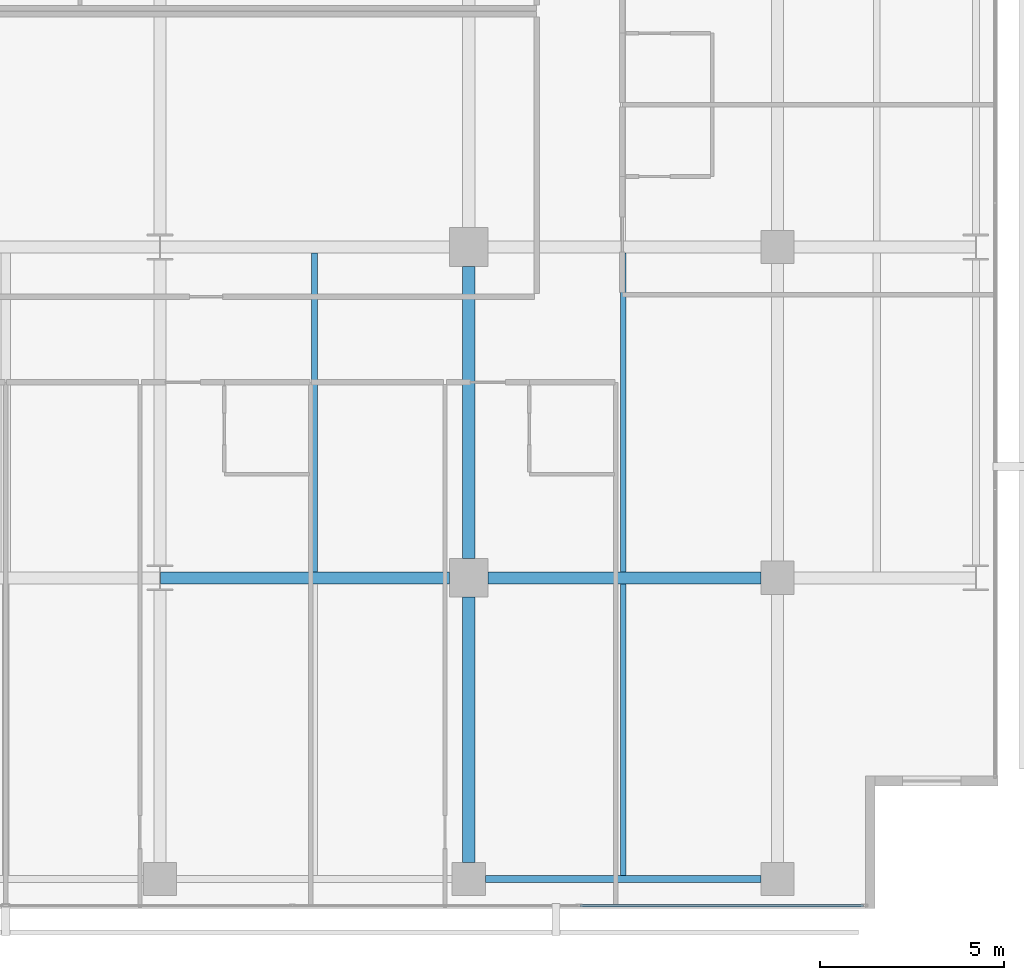
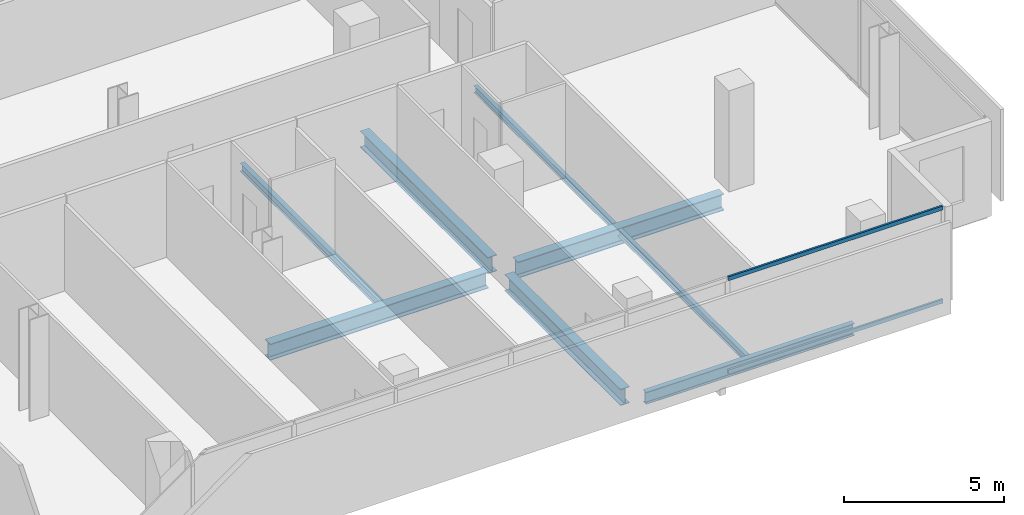
# One storey, part 15 of 39: 8 beams, 2 members, 1 element without a shape of its own.
"""IFC4 building model written with IfcOpenShell, lengths in metres."""

from ifc_helpers import new_model, si_unit, direction, frame, origin, origin_2d, place, context, subcontext, project, spatial, hollow_rectangle, i_section, extrude, material, layer, layer_set, material_profile, profile_set, type_object, element, aggregate, save


model = new_model("IFC4")

# Units and contexts
model_context = context("Model", 3, precision=1e-05, world=origin(), true_north=direction((0.0, 1.0)))
body_context = subcontext(model_context, "Body", "Model", "MODEL_VIEW")
ifc_project = project(units=[si_unit("LENGTHUNIT", "METRE"), si_unit("AREAUNIT", "SQUARE_METRE"), si_unit("VOLUMEUNIT", "CUBIC_METRE"), si_unit("PLANEANGLEUNIT", "RADIAN"), si_unit("MASSUNIT", "GRAM", prefix="KILO")], contexts=[model_context])

# Site, building, storey
site_placement = place(None, origin())
site = spatial("IfcSite", under=ifc_project, at=site_placement, CompositionType="ELEMENT")
building_placement = place(site_placement, origin())
building = spatial("IfcBuilding", under=site, at=building_placement, Name="Maruvema Waterfront Hotel and Observation Tower", CompositionType="ELEMENT")
storey_placement = place(building_placement, frame((0.0, 0.0, 46.199951171875)))
storey = spatial("IfcBuildingStorey", under=building, at=storey_placement, Name="L10", CompositionType="ELEMENT", Elevation=46.199951171875)

# Curtain wall, members
ifc_material_1 = material(Name="Anodised bronze aluminium and solar-control low-E IGU", Category="aluminium")
ifc_layer = layer(ifc_material_1, 0.159912109375, Name="Zone 1 Bronze Inner Thermal Curtain Wall System CW-02")
ifc_layer_set = layer_set([ifc_layer], Name="Anodised bronze aluminium and solar-control low-E IGU")
curtain_wall_type = type_object("IfcCurtainWallType", Name="Zone 1 Bronze Inner Thermal Curtain Wall System CW-02", PredefinedType="USERDEFINED", material=ifc_layer_set)
curtain_wall_placement = place(storey_placement, origin())
curtain_wall = element("IfcCurtainWall", 1, at=curtain_wall_placement, inside=storey, type_object=curtain_wall_type, Name="L10 Curtain Wall CW-L10-S", ObjectType="UNITISED CURTAIN WALL", PredefinedType="USERDEFINED")
ifc_material_2 = material(Name="Anodised architectural bronze aluminium", Category="aluminium")
ifc_material_profile_1 = material_profile(ifc_material_2, hollow_rectangle(XDim=0.070068359375, YDim=0.14990234375, WallThickness=0.00390625, at=origin_2d()), Name="ALU-T70x150")
ifc_profile_set_1 = profile_set([ifc_material_profile_1], Name="Anodised architectural bronze aluminium")
member_type = type_object("IfcMemberType", Name="Curtain Wall Horizontal Transom ALU-T70x150", PredefinedType="USERDEFINED", material=ifc_profile_set_1)
member_1_placement = place(storey_placement, frame((53.429931640625, 0.080078125, 0.030029296875), z_axis=(1.0, 0.0, 0.0), x_axis=(0.0, 1.0, 0.0)))
member_1 = element("IfcMember", 2, at=member_1_placement, type_object=member_type, Name="CW-02 transom 6.1", ObjectType="TRANSOM", PredefinedType="USERDEFINED", context=body_context, shape_type="SweptSolid", body=[
    extrude(hollow_rectangle(XDim=0.070068359375, YDim=0.14990234375, WallThickness=0.00390625, at=origin_2d()), origin(), (0.0, 0.0, 1.0), 7.7099609375),
])
member_2_placement = place(storey_placement, frame((53.429931640625, 0.080078125, 3.580078125), z_axis=(1.0, 0.0, 0.0), x_axis=(0.0, 1.0, 0.0)))
member_2 = element("IfcMember", 3, at=member_2_placement, type_object=member_type, Name="CW-02 transom 6.2", ObjectType="TRANSOM", PredefinedType="USERDEFINED", context=body_context, shape_type="SweptSolid", body=[
    extrude(hollow_rectangle(XDim=0.070068359375, YDim=0.14990234375, WallThickness=0.00390625, at=origin_2d()), origin(), (0.0, 0.0, 1.0), 7.7099609375),
])
aggregate(curtain_wall, [member_1, member_2])

# Beams
ifc_material_3 = material(Name="Steel ASTM A572 Grade 50", Category="steel")
ifc_material_profile_2 = material_profile(ifc_material_3, i_section(OverallWidth=0.18994140625, OverallDepth=0.45703125, WebThickness=0.009033203125, FlangeThickness=0.014404296875, FilletRadius=0.014892578125, at=origin_2d()), Name="W460x74.0")
ifc_profile_set_2 = profile_set([ifc_material_profile_2], Name="Steel ASTM A572 Grade 50")
beam_type_1 = type_object("IfcBeamType", Name="Perimeter Spandrel Beam W460x74.0", PredefinedType="SPANDREL", material=ifc_profile_set_2)
beam_1_placement = place(storey_placement, frame((50.85009765625, 0.800048828125, -0.468505859375), z_axis=(1.0, 0.0, 0.0), x_axis=(0.0, 1.0, 0.0)))
element("IfcBeam", 4, at=beam_1_placement, inside=storey, type_object=beam_type_1, Name="L10 Floor Girder EW-05", PredefinedType="SPANDREL", context=body_context, shape_type="SweptSolid", body=[
    extrude(i_section(OverallWidth=0.18994140625, OverallDepth=0.45703125, WebThickness=0.009033203125, FlangeThickness=0.014404296875, FilletRadius=0.014892578125, at=origin_2d()), origin(), (0.0, 0.0, 1.0), 7.5),
])
ifc_material_4 = material(Name="Steel ASTM A572 Grade 50", Category="steel")
ifc_material_profile_3 = material_profile(ifc_material_4, i_section(OverallWidth=0.326904296875, OverallDepth=0.6220703125, WebThickness=0.015380859375, FlangeThickness=0.0244140625, FilletRadius=0.01806640625, at=origin_2d()), Name="W610x195.0")
ifc_profile_set_3 = profile_set([ifc_material_profile_3], Name="Steel ASTM A572 Grade 50")
beam_type_2 = type_object("IfcBeamType", Name="Primary Floor Girder W610x195.0", PredefinedType="BEAM", material=ifc_profile_set_3)
beam_2_placement = place(storey_placement, frame((42.013916015625, 9.0, -0.551025390625), z_axis=(1.0, 0.0, 0.0), x_axis=(0.0, 1.0, 0.0)))
element("IfcBeam", 5, at=beam_2_placement, inside=storey, type_object=beam_type_2, Name="L10 Floor Girder EW-10", PredefinedType="BEAM", context=body_context, shape_type="SweptSolid", body=[
    extrude(i_section(OverallWidth=0.326904296875, OverallDepth=0.6220703125, WebThickness=0.015380859375, FlangeThickness=0.0244140625, FilletRadius=0.01806640625, at=origin_2d()), origin(), (0.0, 0.0, 1.0), 7.861083984375),
])
beam_3_placement = place(storey_placement, frame((50.925048828125, 9.0, -0.551025390625), z_axis=(1.0, 0.0, 0.0), x_axis=(0.0, 1.0, 0.0)))
element("IfcBeam", 6, at=beam_3_placement, inside=storey, type_object=beam_type_2, Name="L10 Floor Girder EW-11", PredefinedType="BEAM", context=body_context, shape_type="SweptSolid", body=[
    extrude(i_section(OverallWidth=0.326904296875, OverallDepth=0.6220703125, WebThickness=0.015380859375, FlangeThickness=0.0244140625, FilletRadius=0.01806640625, at=origin_2d()), origin(), (0.0, 0.0, 1.0), 7.425048828125),
])
beam_4_placement = place(storey_placement, frame((50.39990234375, 1.25, -0.551025390625), z_axis=(0.0, 1.0, 0.0), x_axis=(-1.0, 0.0, 0.0)))
element("IfcBeam", 7, at=beam_4_placement, inside=storey, type_object=beam_type_2, Name="L10 Floor Girder NS-22", PredefinedType="BEAM", context=body_context, shape_type="SweptSolid", body=[
    extrude(i_section(OverallWidth=0.326904296875, OverallDepth=0.6220703125, WebThickness=0.015380859375, FlangeThickness=0.0244140625, FilletRadius=0.01806640625, at=origin_2d()), origin(), (0.0, 0.0, 1.0), 7.22509765625),
])
beam_5_placement = place(storey_placement, frame((50.39990234375, 9.52490234375, -0.551025390625), z_axis=(0.0, 1.0, 0.0), x_axis=(-1.0, 0.0, 0.0)))
element("IfcBeam", 8, at=beam_5_placement, inside=storey, type_object=beam_type_2, Name="L10 Floor Girder NS-23", PredefinedType="BEAM", context=body_context, shape_type="SweptSolid", body=[
    extrude(i_section(OverallWidth=0.326904296875, OverallDepth=0.6220703125, WebThickness=0.015380859375, FlangeThickness=0.0244140625, FilletRadius=0.01806640625, at=origin_2d()), origin(), (0.0, 0.0, 1.0), 7.9501953125),
])
ifc_material_5 = material(Name="Steel ASTM A572 Grade 50", Category="steel")
ifc_material_profile_4 = material_profile(ifc_material_5, i_section(OverallWidth=0.14599609375, OverallDepth=0.258056640625, WebThickness=0.006103515625, FlangeThickness=0.009033203125, FilletRadius=0.012939453125, at=origin_2d()), Name="W250x32.7")
ifc_profile_set_4 = profile_set([ifc_material_profile_4], Name="Steel ASTM A572 Grade 50")
beam_type_3 = type_object("IfcBeamType", Name="Secondary Floor Joist W250x32.7", PredefinedType="JOIST", material=ifc_profile_set_4)
beam_6_placement = place(storey_placement, frame((54.60009765625, 9.16357421875, -0.368896484375), z_axis=(0.0, 1.0, 0.0), x_axis=(-1.0, 0.0, 0.0)))
element("IfcBeam", 9, at=beam_6_placement, inside=storey, type_object=beam_type_3, Name="L10 Secondary Floor Joist JS-17", PredefinedType="JOIST", context=body_context, shape_type="SweptSolid", body=[
    extrude(i_section(OverallWidth=0.14599609375, OverallDepth=0.258056640625, WebThickness=0.006103515625, FlangeThickness=0.009033203125, FilletRadius=0.012939453125, at=origin_2d()), origin(), (0.0, 0.0, 1.0), 8.6728515625),
])
ifc_material_6 = material(Name="Steel ASTM A572 Grade 50", Category="steel")
ifc_material_profile_5 = material_profile(ifc_material_6, i_section(OverallWidth=0.14794921875, OverallDepth=0.26611328125, WebThickness=0.007568359375, FlangeThickness=0.012939453125, FilletRadius=0.012939453125, at=origin_2d()), Name="W250x44.8")
ifc_profile_set_5 = profile_set([ifc_material_profile_5], Name="Steel ASTM A572 Grade 50")
beam_type_4 = type_object("IfcBeamType", Name="Secondary Floor Joist W250x44.8", PredefinedType="JOIST", material=ifc_profile_set_5)
beam_7_placement = place(storey_placement, frame((54.60009765625, 0.89501953125, -0.373046875), z_axis=(0.0, 1.0, 0.0), x_axis=(-1.0, 0.0, 0.0)))
element("IfcBeam", 10, at=beam_7_placement, inside=storey, type_object=beam_type_4, Name="L10 Secondary Floor Joist JS-16", PredefinedType="JOIST", context=body_context, shape_type="SweptSolid", body=[
    extrude(i_section(OverallWidth=0.14794921875, OverallDepth=0.26611328125, WebThickness=0.007568359375, FlangeThickness=0.012939453125, FilletRadius=0.012939453125, at=origin_2d()), origin(), (0.0, 0.0, 1.0), 7.94140625),
])
ifc_material_7 = material(Name="Steel ASTM A572 Grade 50", Category="steel")
ifc_material_profile_6 = material_profile(ifc_material_7, i_section(OverallWidth=0.1650390625, OverallDepth=0.31005859375, WebThickness=0.005859375, FlangeThickness=0.009765625, FilletRadius=0.012939453125, at=origin_2d()), Name="W310x38.7")
ifc_profile_set_6 = profile_set([ifc_material_profile_6], Name="Steel ASTM A572 Grade 50")
beam_type_5 = type_object("IfcBeamType", Name="Secondary Floor Joist W310x38.7", PredefinedType="JOIST", material=ifc_profile_set_6)
beam_8_placement = place(storey_placement, frame((46.199951171875, 9.16357421875, -0.39501953125), z_axis=(0.0, 1.0, 0.0), x_axis=(-1.0, 0.0, 0.0)))
element("IfcBeam", 11, at=beam_8_placement, inside=storey, type_object=beam_type_5, Name="L10 Secondary Floor Joist JS-15", PredefinedType="JOIST", context=body_context, shape_type="SweptSolid", body=[
    extrude(i_section(OverallWidth=0.1650390625, OverallDepth=0.31005859375, WebThickness=0.005859375, FlangeThickness=0.009765625, FilletRadius=0.012939453125, at=origin_2d()), origin(), (0.0, 0.0, 1.0), 8.6728515625),
])

save(model, "model.ifc")
